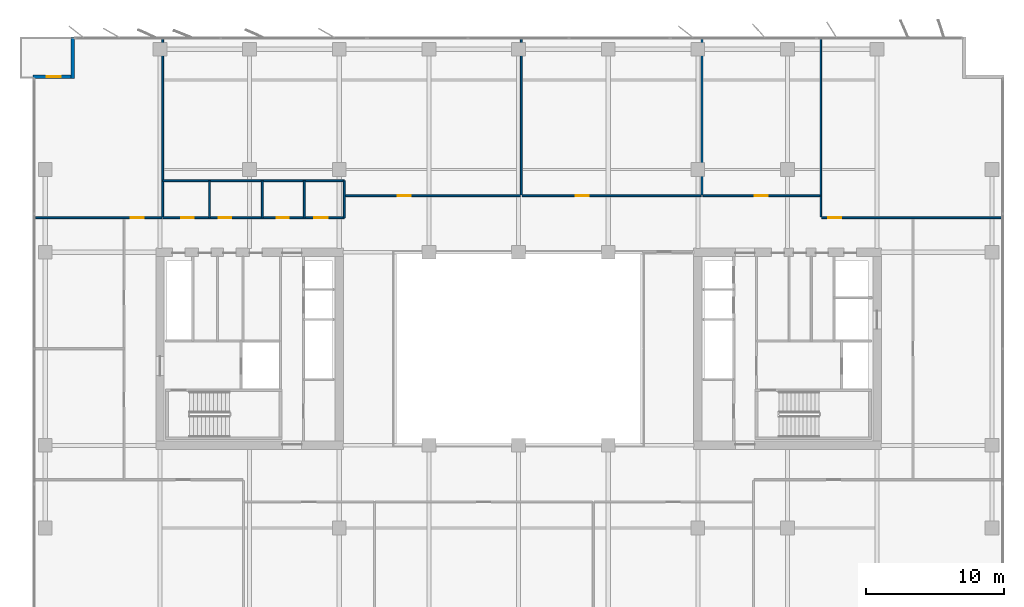
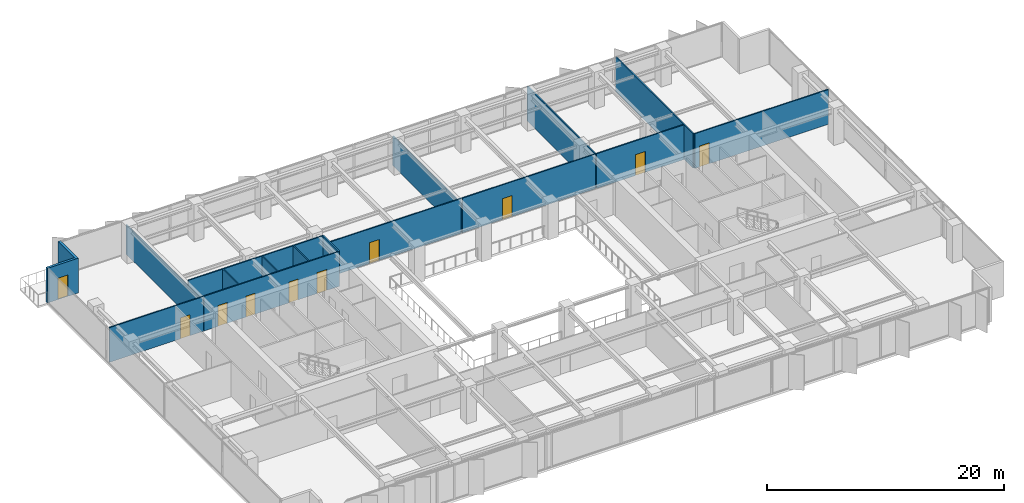
# One storey, part 17 of 22: 17 walls, 10 doors, 10 openings.
"""IFC4 building model written with IfcOpenShell, lengths in metres."""

from ifc_helpers import new_model, si_unit, direction, frame, frame_2d, origin, place, context, subcontext, project, spatial, rectangle, extrude, material, layer, layer_set, type_object, element, fill, save


model = new_model("IFC4")

# Units and contexts
model_context = context("Model", 3, precision=1e-05, world=origin(), true_north=direction((0.0, 1.0)))
body_context = subcontext(model_context, "Body", "Model", "MODEL_VIEW")
ifc_project = project(units=[si_unit("LENGTHUNIT", "METRE"), si_unit("AREAUNIT", "SQUARE_METRE"), si_unit("VOLUMEUNIT", "CUBIC_METRE"), si_unit("PLANEANGLEUNIT", "RADIAN"), si_unit("MASSUNIT", "GRAM", prefix="KILO")], contexts=[model_context])

# Site, building, storey
site_placement = place(None, origin())
site = spatial("IfcSite", under=ifc_project, at=site_placement, CompositionType="ELEMENT")
building_placement = place(site_placement, origin())
building = spatial("IfcBuilding", under=site, at=building_placement, Name="Putna Gate Headquarters", CompositionType="ELEMENT")
storey_placement = place(building_placement, frame((0.0, 0.0, 148.0)))
storey = spatial("IfcBuildingStorey", under=building, at=storey_placement, Name="L36", CompositionType="ELEMENT", Elevation=148.0)

# Wall
ifc_material_1 = material(Name="Precast concrete C40/50", Category="concrete")
ifc_layer_1 = layer(ifc_material_1, 0.239990234375)
ifc_layer_set_1 = layer_set([ifc_layer_1], Name="Precast concrete C40/50")
wall_type_1 = type_object("IfcWallType", Name="WALL-EXT-TERR-240", PredefinedType="STANDARD", material=ifc_layer_set_1)
wall_1_placement = place(storey_placement, frame((6.679931640625, 45.60009765625, 0.0), z_axis=(0.0, 0.0, 1.0), x_axis=(0.0, 1.0, 0.0)))
element("IfcWall", 1, at=wall_1_placement, inside=storey, type_object=wall_type_1, Name="L36 Corner Notch Return Wall NW-V", PredefinedType="STANDARD", context=body_context, shape_type="SweptSolid", body=[
    extrude(rectangle(XDim=3.0, YDim=0.239990234375, at=frame_2d((1.5, 0.0))), origin(), (0.0, 0.0, 1.0), 3.572021484375),
])

# Wall, opening, door
wall_2_placement = place(storey_placement, frame((3.800048828125, 45.719970703125, 0.0), z_axis=(0.0, 0.0, 1.0), x_axis=(1.0, 0.0, 0.0)))
wall_2 = element("IfcWall", 2, at=wall_2_placement, inside=storey, type_object=wall_type_1, Name="L36 Corner Notch Return Wall NW-H", PredefinedType="STANDARD", context=body_context, shape_type="SweptSolid", body=[
    extrude(rectangle(XDim=3.0, YDim=0.239990234375, at=frame_2d((1.5, 0.0))), origin(), (0.0, 0.0, 1.0), 3.572021484375),
])
opening_1_placement = place(wall_2_placement, frame((1.0, 0.0, 0.0)))
opening_1 = element("IfcOpeningElement", 3, at=opening_1_placement, cuts=wall_2, Name="Opening TRD-1", PredefinedType="OPENING", context=body_context, shape_type="SweptSolid", body=[
    extrude(rectangle(XDim=1.0, YDim=2.199951171875, at=frame_2d((0.5, 1.10009765625))), frame((0.0, 0.1298828125, 0.0), z_axis=(0.0, -1.0, 0.0), x_axis=(1.0, 0.0, 0.0)), (0.0, 0.0, 1.0), 0.260009765625),
])
ifc_material_2 = material(Name="Thermally broken bronze glazed terrace door")
door_type_1 = type_object("IfcDoorType", Name="DOOR-TERR-EXT-1000", OperationType="NOTDEFINED", PredefinedType="DOOR", material=ifc_material_2)
door_1_placement = place(opening_1_placement, origin())
door_1 = element("IfcDoor", 4, at=door_1_placement, inside=storey, type_object=door_type_1, Name="L36 Spiral Sky Terrace Door NW", OperationType="SINGLE_SWING_RIGHT", OverallHeight=2.199951171875, OverallWidth=1.0, PredefinedType="DOOR", context=body_context, shape_type="SweptSolid", body=[
    extrude(rectangle(XDim=1.0, YDim=2.199951171875, at=frame_2d((0.5, 1.10009765625))), frame((0.0, 0.02490234375, 0.0), z_axis=(0.0, -1.0, 0.0), x_axis=(1.0, 0.0, 0.0)), (0.0, 0.0, 1.0), 0.050048828125),
])
fill(opening_1, door_1)

# Walls
ifc_material_3 = material(Name="Acoustic gypsum board on metal stud")
ifc_layer_2 = layer(ifc_material_3, 0.1201171875)
ifc_layer_set_2 = layer_set([ifc_layer_2], Name="Acoustic gypsum board on metal stud")
wall_type_2 = type_object("IfcWallType", Name="WALL-PART-120", PredefinedType="PARTITIONING", material=ifc_layer_set_2)
wall_3_placement = place(storey_placement, frame((13.199951171875, 35.56005859375, 0.0), z_axis=(0.0, 0.0, 1.0), x_axis=(0.0, 1.0, 0.0)))
element("IfcWall", 5, at=wall_3_placement, inside=storey, type_object=wall_type_2, Name="L36 Interior Wall PART-L36-NB-DIV-01", PredefinedType="PARTITIONING", context=body_context, shape_type="SweptSolid", body=[
    extrude(rectangle(XDim=13.02001953125, YDim=0.1201171875, at=frame_2d((6.510009765625, 0.0))), origin(), (0.0, 0.0, 1.0), 3.02197265625),
])
wall_4_placement = place(storey_placement, frame((39.199951171875, 37.159912109375, 0.0), z_axis=(0.0, 0.0, 1.0), x_axis=(0.0, 1.0, 0.0)))
element("IfcWall", 6, at=wall_4_placement, inside=storey, type_object=wall_type_2, Name="L36 Interior Wall PART-L36-NB-DIV-02", PredefinedType="PARTITIONING", context=body_context, shape_type="SweptSolid", body=[
    extrude(rectangle(XDim=11.420166015625, YDim=0.1201171875, at=frame_2d((5.7099609375, 0.0))), origin(), (0.0, 0.0, 1.0), 3.02197265625),
])
wall_5_placement = place(storey_placement, frame((52.29736328125, 37.159912109375, 0.0), z_axis=(0.0, 0.0, 1.0), x_axis=(0.0, 1.0, 0.0)))
element("IfcWall", 7, at=wall_5_placement, inside=storey, type_object=wall_type_2, Name="L36 Interior Wall PART-L36-NB-DIV-03", PredefinedType="PARTITIONING", context=body_context, shape_type="SweptSolid", body=[
    extrude(rectangle(XDim=11.420166015625, YDim=0.1201171875, at=frame_2d((5.7099609375, 0.0))), origin(), (0.0, 0.0, 1.0), 3.572021484375),
])
wall_6_placement = place(storey_placement, frame((60.922607421875, 35.56005859375, 0.0), z_axis=(0.0, 0.0, 1.0), x_axis=(0.0, 1.0, 0.0)))
element("IfcWall", 8, at=wall_6_placement, inside=storey, type_object=wall_type_2, Name="L36 Interior Wall PART-L36-NB-DIV-04", PredefinedType="PARTITIONING", context=body_context, shape_type="SweptSolid", body=[
    extrude(rectangle(XDim=13.02001953125, YDim=0.1201171875, at=frame_2d((6.510009765625, 0.0))), origin(), (0.0, 0.0, 1.0), 3.572021484375),
])

# Wall, openings, doors
ifc_material_4 = material(Name="Fire-rated gypsum board on metal stud")
ifc_layer_3 = layer(ifc_material_4, 0.1201171875)
ifc_layer_set_3 = layer_set([ifc_layer_3], Name="Fire-rated gypsum board on metal stud")
wall_type_3 = type_object("IfcWallType", Name="WALL-PART-120-RATED", PredefinedType="PARTITIONING", material=ifc_layer_set_3)
wall_7_placement = place(storey_placement, frame((13.199951171875, 35.5, 0.0), z_axis=(0.0, 0.0, 1.0), x_axis=(1.0, 0.0, 0.0)))
wall_7 = element("IfcWall", 9, at=wall_7_placement, inside=storey, type_object=wall_type_3, Name="L36 Interior Wall PART-L36-SAN-CW", PredefinedType="PARTITIONING", context=body_context, shape_type="SweptSolid", body=[
    extrude(rectangle(XDim=13.16015625, YDim=0.1201171875, at=frame_2d((6.580078125, 0.0))), origin(), (0.0, 0.0, 1.0), 3.572021484375),
])
opening_2_placement = place(wall_7_placement, frame((1.35009765625, 0.0, 0.0)))
opening_2 = element("IfcOpeningElement", 10, at=opening_2_placement, cuts=wall_7, Name="Opening FD-90", PredefinedType="OPENING", context=body_context, shape_type="SweptSolid", body=[
    extrude(rectangle(XDim=0.89990234375, YDim=2.14990234375, at=frame_2d((0.449951171875, 1.074951171875))), frame((0.0, 0.070068359375, 0.0), z_axis=(0.0, -1.0, 0.0), x_axis=(1.0, 0.0, 0.0)), (0.0, 0.0, 1.0), 0.14013671875),
])
opening_3_placement = place(wall_7_placement, frame((4.050048828125, 0.0, 0.0)))
opening_3 = element("IfcOpeningElement", 11, at=opening_3_placement, cuts=wall_7, Name="Opening FD-90", PredefinedType="OPENING", context=body_context, shape_type="SweptSolid", body=[
    extrude(rectangle(XDim=0.89990234375, YDim=2.14990234375, at=frame_2d((0.449951171875, 1.074951171875))), frame((0.0, 0.070068359375, 0.0), z_axis=(0.0, -1.0, 0.0), x_axis=(1.0, 0.0, 0.0)), (0.0, 0.0, 1.0), 0.14013671875),
])
opening_4_placement = place(wall_7_placement, frame((8.25, 0.0, 0.0)))
opening_4 = element("IfcOpeningElement", 12, at=opening_4_placement, cuts=wall_7, Name="Opening FD-90", PredefinedType="OPENING", context=body_context, shape_type="SweptSolid", body=[
    extrude(rectangle(XDim=0.89990234375, YDim=2.14990234375, at=frame_2d((0.449951171875, 1.074951171875))), frame((0.0, 0.070068359375, 0.0), z_axis=(0.0, -1.0, 0.0), x_axis=(1.0, 0.0, 0.0)), (0.0, 0.0, 1.0), 0.14013671875),
])
opening_5_placement = place(wall_7_placement, frame((11.0, 0.0, 0.0)))
opening_5 = element("IfcOpeningElement", 13, at=opening_5_placement, cuts=wall_7, Name="Opening FD-95", PredefinedType="OPENING", context=body_context, shape_type="SweptSolid", body=[
    extrude(rectangle(XDim=0.949951171875, YDim=2.14990234375, at=frame_2d((0.47509765625, 1.074951171875))), frame((0.0, 0.070068359375, 0.0), z_axis=(0.0, -1.0, 0.0), x_axis=(1.0, 0.0, 0.0)), (0.0, 0.0, 1.0), 0.14013671875),
])
ifc_material_5 = material(Name="Acoustic washroom fire door")
door_type_2 = type_object("IfcDoorType", Name="DOOR-FIRE-900", OperationType="NOTDEFINED", PredefinedType="DOOR", material=ifc_material_5)
door_2_placement = place(opening_2_placement, origin())
door_2 = element("IfcDoor", 14, at=door_2_placement, inside=storey, type_object=door_type_2, Name="L36 Washroom Male Door", OperationType="SINGLE_SWING_RIGHT", OverallHeight=2.14990234375, OverallWidth=0.89990234375, PredefinedType="DOOR", context=body_context, shape_type="SweptSolid", body=[
    extrude(rectangle(XDim=0.89990234375, YDim=2.14990234375, at=frame_2d((0.449951171875, 1.074951171875))), frame((0.0, 0.02490234375, 0.0), z_axis=(0.0, -1.0, 0.0), x_axis=(1.0, 0.0, 0.0)), (0.0, 0.0, 1.0), 0.050048828125),
])
fill(opening_2, door_2)
door_3_placement = place(opening_3_placement, origin())
door_3 = element("IfcDoor", 15, at=door_3_placement, inside=storey, type_object=door_type_2, Name="L36 Washroom Female Door", OperationType="SINGLE_SWING_LEFT", OverallHeight=2.14990234375, OverallWidth=0.89990234375, PredefinedType="DOOR", context=body_context, shape_type="SweptSolid", body=[
    extrude(rectangle(XDim=0.89990234375, YDim=2.14990234375, at=frame_2d((0.449951171875, 1.074951171875))), frame((0.0, 0.02490234375, 0.0), z_axis=(0.0, -1.0, 0.0), x_axis=(1.0, 0.0, 0.0)), (0.0, 0.0, 1.0), 0.050048828125),
])
fill(opening_3, door_3)
door_4_placement = place(opening_4_placement, origin())
door_4 = element("IfcDoor", 16, at=door_4_placement, inside=storey, type_object=door_type_2, Name="L36 Accessible WC Door", OperationType="SINGLE_SWING_RIGHT", OverallHeight=2.14990234375, OverallWidth=0.89990234375, PredefinedType="DOOR", context=body_context, shape_type="SweptSolid", body=[
    extrude(rectangle(XDim=0.89990234375, YDim=2.14990234375, at=frame_2d((0.449951171875, 1.074951171875))), frame((0.0, 0.02490234375, 0.0), z_axis=(0.0, -1.0, 0.0), x_axis=(1.0, 0.0, 0.0)), (0.0, 0.0, 1.0), 0.050048828125),
])
fill(opening_4, door_4)
ifc_material_6 = material(Name="Acoustic timber fire door", Category="wood")
door_type_3 = type_object("IfcDoorType", Name="DOOR-FIRE-950", OperationType="NOTDEFINED", PredefinedType="DOOR", material=ifc_material_6)
door_5_placement = place(opening_5_placement, origin())
door_5 = element("IfcDoor", 17, at=door_5_placement, inside=storey, type_object=door_type_3, Name="L36 Staff Pantry and Tea Point Door", OperationType="SINGLE_SWING_LEFT", OverallHeight=2.14990234375, OverallWidth=0.949951171875, PredefinedType="DOOR", context=body_context, shape_type="SweptSolid", body=[
    extrude(rectangle(XDim=0.949951171875, YDim=2.14990234375, at=frame_2d((0.47509765625, 1.074951171875))), frame((0.0, 0.02490234375, 0.0), z_axis=(0.0, -1.0, 0.0), x_axis=(1.0, 0.0, 0.0)), (0.0, 0.0, 1.0), 0.050048828125),
])
fill(opening_5, door_5)

# Walls
wall_8_placement = place(storey_placement, frame((13.199951171875, 38.179931640625, 0.0), z_axis=(0.0, 0.0, 1.0), x_axis=(1.0, 0.0, 0.0)))
element("IfcWall", 18, at=wall_8_placement, inside=storey, type_object=wall_type_3, Name="L36 Interior Wall PART-L36-SAN-BACK", PredefinedType="PARTITIONING", context=body_context, shape_type="SweptSolid", body=[
    extrude(rectangle(XDim=13.16015625, YDim=0.1201171875, at=frame_2d((6.580078125, 0.0))), origin(), (0.0, 0.0, 1.0), 3.572021484375),
])
for number, where, z_axis, x_axis, name in (
    (19, (16.60009765625, 35.5, 0.0), (0.0, 0.0, 1.0), (0.0, 1.0, 0.0), "L36 Interior Wall PART-L36-SAN-DIV-1"),
    (20, (20.419921875, 35.5, 0.0), (0.0, 0.0, 1.0), (0.0, 1.0, 0.0), "L36 Interior Wall PART-L36-SAN-DIV-2"),
    (21, (23.4599609375, 35.5, 0.0), (0.0, 0.0, 1.0), (0.0, 1.0, 0.0), "L36 Interior Wall PART-L36-SAN-DIV-3"),
    (22, (26.360107421875, 35.5, 0.0), (0.0, 0.0, 1.0), (0.0, 1.0, 0.0), "L36 Interior Wall PART-L36-SAN-DIV-4"),
):
    element("IfcWall", number, at=place(storey_placement, frame(where, z_axis=z_axis, x_axis=x_axis)), inside=storey, type_object=wall_type_3, Name=name, PredefinedType="PARTITIONING", context=body_context, shape_type="SweptSolid", body=[
        extrude(rectangle(XDim=2.679931640625, YDim=0.1201171875, at=frame_2d((1.33984375, 0.0))), origin(), (0.0, 0.0, 1.0), 3.572021484375),
    ])

# Wall, opening, door
wall_9_placement = place(storey_placement, frame((3.97998046875, 35.5, 0.0), z_axis=(0.0, 0.0, 1.0), x_axis=(1.0, 0.0, 0.0)))
wall_9 = element("IfcWall", 23, at=wall_9_placement, inside=storey, type_object=wall_type_3, Name="L36 Interior Wall PART-L36-NB-CW-01", PredefinedType="PARTITIONING", context=body_context, shape_type="SweptSolid", body=[
    extrude(rectangle(XDim=9.159912109375, YDim=0.1201171875, at=frame_2d((4.580078125, 0.0))), origin(), (0.0, 0.0, 1.0), 3.572021484375),
])
opening_6_placement = place(wall_9_placement, frame((6.89990234375, 0.0, 0.0)))
opening_6 = element("IfcOpeningElement", 24, at=opening_6_placement, cuts=wall_9, Name="Opening FD-95", PredefinedType="OPENING", context=body_context, shape_type="SweptSolid", body=[
    extrude(rectangle(XDim=0.949951171875, YDim=2.14990234375, at=frame_2d((0.47509765625, 1.074951171875))), frame((0.0, 0.070068359375, 0.0), z_axis=(0.0, -1.0, 0.0), x_axis=(1.0, 0.0, 0.0)), (0.0, 0.0, 1.0), 0.14013671875),
])
door_6_placement = place(opening_6_placement, origin())
door_6 = element("IfcDoor", 25, at=door_6_placement, inside=storey, type_object=door_type_3, Name="L36 Conference Meeting Room 1 Door", OperationType="SINGLE_SWING_RIGHT", OverallHeight=2.14990234375, OverallWidth=0.949951171875, PredefinedType="DOOR", context=body_context, shape_type="SweptSolid", body=[
    extrude(rectangle(XDim=0.949951171875, YDim=2.14990234375, at=frame_2d((0.47509765625, 1.074951171875))), frame((0.0, 0.02490234375, 0.0), z_axis=(0.0, -1.0, 0.0), x_axis=(1.0, 0.0, 0.0)), (0.0, 0.0, 1.0), 0.050048828125),
])
fill(opening_6, door_6)

wall_10_placement = place(storey_placement, frame((26.419921875, 37.10009765625, 0.0), z_axis=(0.0, 0.0, 1.0), x_axis=(1.0, 0.0, 0.0)))
wall_10 = element("IfcWall", 26, at=wall_10_placement, inside=storey, type_object=wall_type_3, Name="L36 Interior Wall PART-L36-NB-CW-02", PredefinedType="PARTITIONING", context=body_context, shape_type="SweptSolid", body=[
    extrude(rectangle(XDim=12.719970703125, YDim=0.1201171875, at=frame_2d((6.35986328125, 0.0))), origin(), (0.0, 0.0, 1.0), 3.572021484375),
])
opening_7_placement = place(wall_10_placement, frame((3.81591796875, 0.0, 0.0)))
opening_7 = element("IfcOpeningElement", 27, at=opening_7_placement, cuts=wall_10, Name="Opening FD-95", PredefinedType="OPENING", context=body_context, shape_type="SweptSolid", body=[
    extrude(rectangle(XDim=0.949951171875, YDim=2.14990234375, at=frame_2d((0.47509765625, 1.074951171875))), frame((0.0, 0.070068359375, 0.0), z_axis=(0.0, -1.0, 0.0), x_axis=(1.0, 0.0, 0.0)), (0.0, 0.0, 1.0), 0.14013671875),
])
door_7_placement = place(opening_7_placement, origin())
door_7 = element("IfcDoor", 28, at=door_7_placement, inside=storey, type_object=door_type_3, Name="L36 Primary Open Office Workplace Door", OperationType="SINGLE_SWING_LEFT", OverallHeight=2.14990234375, OverallWidth=0.949951171875, PredefinedType="DOOR", context=body_context, shape_type="SweptSolid", body=[
    extrude(rectangle(XDim=0.949951171875, YDim=2.14990234375, at=frame_2d((0.47509765625, 1.074951171875))), frame((0.0, 0.02490234375, 0.0), z_axis=(0.0, -1.0, 0.0), x_axis=(1.0, 0.0, 0.0)), (0.0, 0.0, 1.0), 0.050048828125),
])
fill(opening_7, door_7)

wall_11_placement = place(storey_placement, frame((39.260009765625, 37.10009765625, 0.0), z_axis=(0.0, 0.0, 1.0), x_axis=(1.0, 0.0, 0.0)))
wall_11 = element("IfcWall", 29, at=wall_11_placement, inside=storey, type_object=wall_type_3, Name="L36 Interior Wall PART-L36-NB-CW-03", PredefinedType="PARTITIONING", context=body_context, shape_type="SweptSolid", body=[
    extrude(rectangle(XDim=12.977294921875, YDim=0.1201171875, at=frame_2d((6.48876953125, 0.0))), origin(), (0.0, 0.0, 1.0), 3.572021484375),
])
opening_8_placement = place(wall_11_placement, frame((3.893310546875, 0.0, 0.0)))
opening_8 = element("IfcOpeningElement", 30, at=opening_8_placement, cuts=wall_11, Name="Opening FD-95", PredefinedType="OPENING", context=body_context, shape_type="SweptSolid", body=[
    extrude(rectangle(XDim=0.949951171875, YDim=2.14990234375, at=frame_2d((0.47509765625, 1.074951171875))), frame((0.0, 0.070068359375, 0.0), z_axis=(0.0, -1.0, 0.0), x_axis=(1.0, 0.0, 0.0)), (0.0, 0.0, 1.0), 0.14013671875),
])
door_8_placement = place(opening_8_placement, origin())
door_8 = element("IfcDoor", 31, at=door_8_placement, inside=storey, type_object=door_type_3, Name="L36 Quiet Wellness Focus Studio 1 Door", OperationType="SINGLE_SWING_RIGHT", OverallHeight=2.14990234375, OverallWidth=0.949951171875, PredefinedType="DOOR", context=body_context, shape_type="SweptSolid", body=[
    extrude(rectangle(XDim=0.949951171875, YDim=2.14990234375, at=frame_2d((0.47509765625, 1.074951171875))), frame((0.0, 0.02490234375, 0.0), z_axis=(0.0, -1.0, 0.0), x_axis=(1.0, 0.0, 0.0)), (0.0, 0.0, 1.0), 0.050048828125),
])
fill(opening_8, door_8)

wall_12_placement = place(storey_placement, frame((52.357421875, 37.10009765625, 0.0), z_axis=(0.0, 0.0, 1.0), x_axis=(1.0, 0.0, 0.0)))
wall_12 = element("IfcWall", 32, at=wall_12_placement, inside=storey, type_object=wall_type_3, Name="L36 Interior Wall PART-L36-NB-CW-04", PredefinedType="PARTITIONING", context=body_context, shape_type="SweptSolid", body=[
    extrude(rectangle(XDim=8.505126953125, YDim=0.1201171875, at=frame_2d((4.25244140625, 0.0))), origin(), (0.0, 0.0, 1.0), 3.572021484375),
])
opening_9_placement = place(wall_12_placement, frame((3.777587890625, 0.0, 0.0)))
opening_9 = element("IfcOpeningElement", 33, at=opening_9_placement, cuts=wall_12, Name="Opening FD-95", PredefinedType="OPENING", context=body_context, shape_type="SweptSolid", body=[
    extrude(rectangle(XDim=0.949951171875, YDim=2.14990234375, at=frame_2d((0.47509765625, 1.074951171875))), frame((0.0, 0.070068359375, 0.0), z_axis=(0.0, -1.0, 0.0), x_axis=(1.0, 0.0, 0.0)), (0.0, 0.0, 1.0), 0.14013671875),
])
door_9_placement = place(opening_9_placement, origin())
door_9 = element("IfcDoor", 34, at=door_9_placement, inside=storey, type_object=door_type_3, Name="L36 Quiet Wellness Focus Studio 2 Door", OperationType="SINGLE_SWING_LEFT", OverallHeight=2.14990234375, OverallWidth=0.949951171875, PredefinedType="DOOR", context=body_context, shape_type="SweptSolid", body=[
    extrude(rectangle(XDim=0.949951171875, YDim=2.14990234375, at=frame_2d((0.47509765625, 1.074951171875))), frame((0.0, 0.02490234375, 0.0), z_axis=(0.0, -1.0, 0.0), x_axis=(1.0, 0.0, 0.0)), (0.0, 0.0, 1.0), 0.050048828125),
])
fill(opening_9, door_9)

wall_13_placement = place(storey_placement, frame((60.982666015625, 35.5, 0.0), z_axis=(0.0, 0.0, 1.0), x_axis=(1.0, 0.0, 0.0)))
wall_13 = element("IfcWall", 35, at=wall_13_placement, inside=storey, type_object=wall_type_3, Name="L36 Interior Wall PART-L36-NB-CW-05", PredefinedType="PARTITIONING", context=body_context, shape_type="SweptSolid", body=[
    extrude(rectangle(XDim=13.037353515625, YDim=0.1201171875, at=frame_2d((6.5185546875, 0.0))), origin(), (0.0, 0.0, 1.0), 3.572021484375),
])
opening_10_placement = place(wall_13_placement, frame((0.47998046875, 0.0, 0.0)))
opening_10 = element("IfcOpeningElement", 36, at=opening_10_placement, cuts=wall_13, Name="Opening FD-95", PredefinedType="OPENING", context=body_context, shape_type="SweptSolid", body=[
    extrude(rectangle(XDim=0.949951171875, YDim=2.14990234375, at=frame_2d((0.47509765625, 1.074951171875))), frame((0.0, 0.070068359375, 0.0), z_axis=(0.0, -1.0, 0.0), x_axis=(1.0, 0.0, 0.0)), (0.0, 0.0, 1.0), 0.14013671875),
])
door_10_placement = place(opening_10_placement, origin())
door_10 = element("IfcDoor", 37, at=door_10_placement, inside=storey, type_object=door_type_3, Name="L36 Conference Meeting Room 2 Door", OperationType="SINGLE_SWING_RIGHT", OverallHeight=2.14990234375, OverallWidth=0.949951171875, PredefinedType="DOOR", context=body_context, shape_type="SweptSolid", body=[
    extrude(rectangle(XDim=0.949951171875, YDim=2.14990234375, at=frame_2d((0.47509765625, 1.074951171875))), frame((0.0, 0.02490234375, 0.0), z_axis=(0.0, -1.0, 0.0), x_axis=(1.0, 0.0, 0.0)), (0.0, 0.0, 1.0), 0.050048828125),
])
fill(opening_10, door_10)

save(model, "model.ifc")
